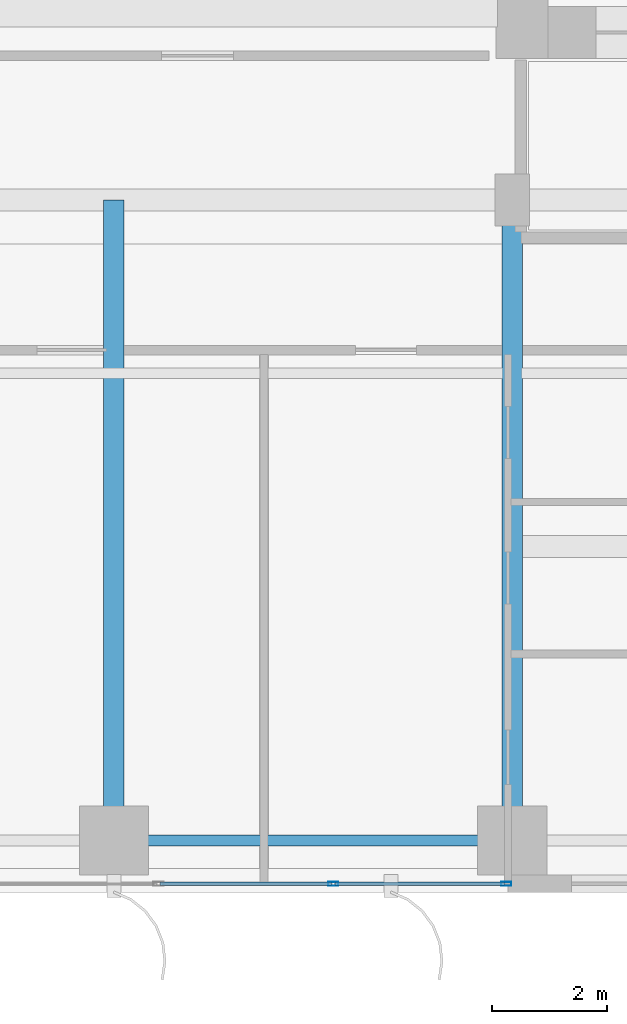
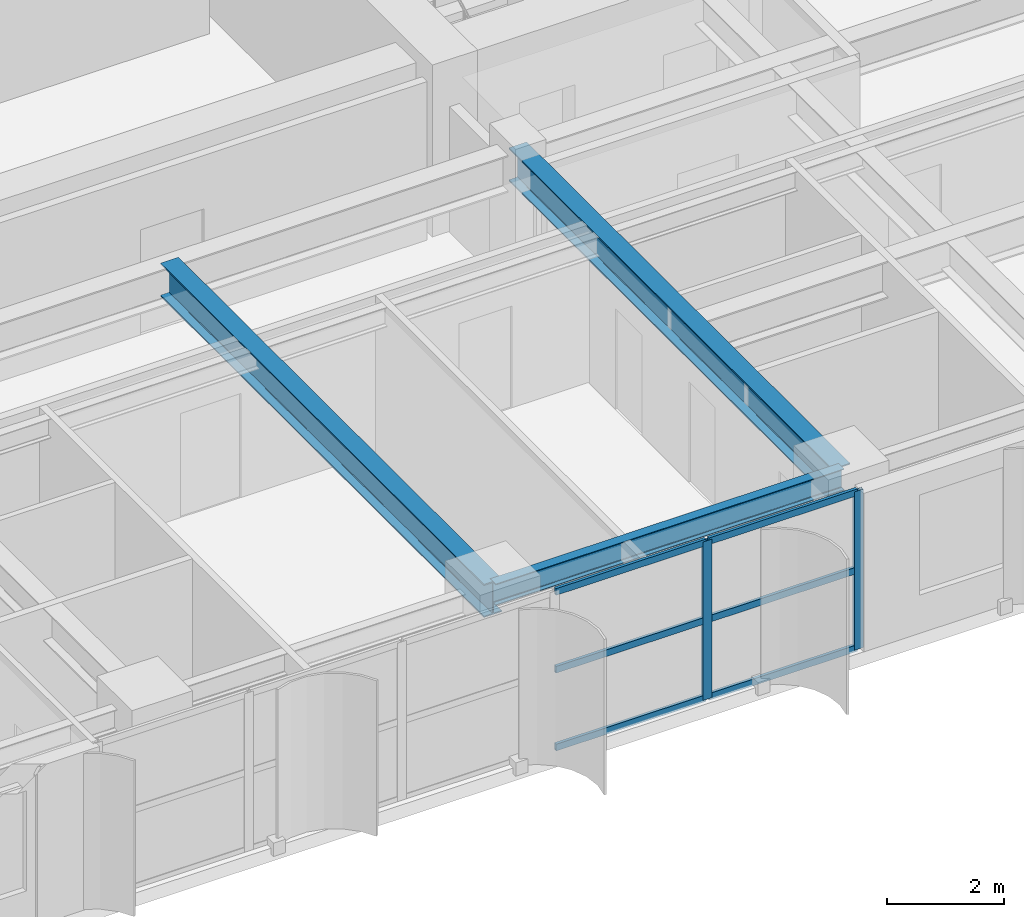
# One storey, part 3 of 24: 8 members, 3 beams, 1 element without a shape of its own.
"""IFC4 building model written with IfcOpenShell, lengths in metres."""

from ifc_helpers import new_model, si_unit, direction, frame, origin, origin_2d, place, context, subcontext, project, spatial, hollow_rectangle, i_section, extrude, source, transform, mapped, material, layer, layer_set, material_profile, profile_set, type_object, element, aggregate, save


model = new_model("IFC4")

# Units and contexts
model_context = context("Model", 3, precision=1e-05, world=origin(), true_north=direction((0.0, 1.0)))
body_context = subcontext(model_context, "Body", "Model", "MODEL_VIEW")
ifc_project = project(units=[si_unit("LENGTHUNIT", "METRE"), si_unit("AREAUNIT", "SQUARE_METRE"), si_unit("VOLUMEUNIT", "CUBIC_METRE"), si_unit("PLANEANGLEUNIT", "RADIAN"), si_unit("MASSUNIT", "GRAM", prefix="KILO")], contexts=[model_context])

# Site, building, storey
site_placement = place(None, origin())
site = spatial("IfcSite", under=ifc_project, at=site_placement, CompositionType="ELEMENT")
building_placement = place(site_placement, origin())
building = spatial("IfcBuilding", under=site, at=building_placement, Name="Khoralis Quay Care Tower", CompositionType="ELEMENT")
storey_placement = place(building_placement, frame((0.0, 0.0, 40.5)))
storey = spatial("IfcBuildingStorey", under=building, at=storey_placement, Name="L10", CompositionType="ELEMENT", Elevation=40.5)

# Beams
ifc_material_1 = material(Name="Steel S355", Category="steel")
ifc_material_profile_1 = material_profile(ifc_material_1, i_section(OverallWidth=0.18994140625, OverallDepth=0.449951171875, WebThickness=0.009521484375, FlangeThickness=0.0146484375, FilletRadius=0.02099609375, at=origin_2d()), Name="Steel S355")
ifc_profile_set_1 = profile_set([ifc_material_profile_1], Name="Steel S355")
beam_type_1 = type_object("IfcBeamType", Name="BM-IPE450", PredefinedType="SPANDREL", material=ifc_profile_set_1)
shared_shape_1 = source(origin(), body_context, "Body", "SweptSolid", [
    extrude(i_section(OverallWidth=0.18994140625, OverallDepth=0.449951171875, WebThickness=0.009521484375, FlangeThickness=0.0146484375, FilletRadius=0.02099609375, at=origin_2d()), origin(), (0.0, 0.0, 1.0), 6.89990234375),
])
beam_placement = place(storey_placement, frame((24.0, 0.89990234375, 3.094970703125), z_axis=(1.0, 0.0, 0.0), x_axis=(0.0, 1.0, 0.0)))
element("IfcBeam", 1, at=beam_placement, inside=storey, type_object=beam_type_1, Name="BM-TSP-L10-04", PredefinedType="SPANDREL", context=body_context, shape_type="MappedRepresentation", body=[
    mapped(shared_shape_1, transform((0.0, 0.0, 0.0), scale=1.0)),
])
ifc_material_profile_2 = material_profile(ifc_material_1, i_section(OverallWidth=0.35498046875, OverallDepth=0.695068359375, WebThickness=0.015380859375, FlangeThickness=0.02490234375, FilletRadius=0.02001953125, at=origin_2d()), Name="Steel S355")
ifc_profile_set_2 = profile_set([ifc_material_profile_2], Name="Steel S355")
beam_type_2 = type_object("IfcBeamType", Name="BM-W690X217", PredefinedType="BEAM", material=ifc_profile_set_2)
shared_shape_2 = source(origin(), body_context, "Body", "SweptSolid", [
    extrude(i_section(OverallWidth=0.35498046875, OverallDepth=0.695068359375, WebThickness=0.015380859375, FlangeThickness=0.02490234375, FilletRadius=0.02001953125, at=origin_2d()), origin(), (0.0, 0.0, 1.0), 11.10009765625),
])
for number, where, z_axis, x_axis, name in (
    (2, (24.0, 0.89990234375, 2.972412109375), (0.0, 1.0, 0.0), (-1.0, 0.0, 0.0), "BM-TGYS-L10-240"),
    (3, (30.89990234375, 0.89990234375, 2.972412109375), (0.0, 1.0, 0.0), (-1.0, 0.0, 0.0), "BM-TGYS-L10-309"),
):
    element("IfcBeam", number, at=place(storey_placement, frame(where, z_axis=z_axis, x_axis=x_axis)), inside=storey, type_object=beam_type_2, Name=name, PredefinedType="BEAM", context=body_context, shape_type="MappedRepresentation", body=[
        mapped(shared_shape_2, transform((0.0, 0.0, 0.0), scale=1.0)),
    ])

# Curtain wall, members
ifc_material_2 = material(Name="Pale anodised aluminium", Category="aluminium")
ifc_layer = layer(ifc_material_2, 0.179931640625)
ifc_layer_set = layer_set([ifc_layer], Name="Pale anodised aluminium")
curtain_wall_type = type_object("IfcCurtainWallType", Name="CW-SYS-Z1", PredefinedType="NOTDEFINED", material=ifc_layer_set)
curtain_wall_placement = place(storey_placement, origin())
curtain_wall = element("IfcCurtainWall", 4, at=curtain_wall_placement, inside=storey, type_object=curtain_wall_type, Name="L10 Unitised Curtain Wall CW-L10-P1-E0", PredefinedType="NOTDEFINED")
ifc_material_profile_3 = material_profile(ifc_material_2, hollow_rectangle(XDim=0.06494140625, YDim=0.179931640625, WallThickness=0.00390625, at=origin_2d()), Name="Pale anodised aluminium")
ifc_profile_set_3 = profile_set([ifc_material_profile_3], Name="Pale anodised aluminium")
member_type_1 = type_object("IfcMemberType", Name="CW-MUL-180", PredefinedType="MULLION", material=ifc_profile_set_3)
shared_shape_3 = source(origin(), body_context, "Body", "SweptSolid", [
    extrude(hollow_rectangle(XDim=0.06494140625, YDim=0.179931640625, WallThickness=0.00390625, at=origin_2d()), origin(), (0.0, 0.0, 1.0), 3.320068359375),
])
member_1_placement = place(storey_placement, frame((27.7998046875, 0.14990234375, 0.0), z_axis=(0.0, 0.0, 1.0), x_axis=(0.0, 1.0, 0.0)))
member_1 = element("IfcMember", 5, at=member_1_placement, type_object=member_type_1, Name="CW1 mullion 5", PredefinedType="MULLION", context=body_context, shape_type="MappedRepresentation", body=[
    mapped(shared_shape_3, transform((0.0, 0.0, 0.0), scale=1.0)),
])
member_2_placement = place(storey_placement, frame((30.798095703125, 0.14990234375, 0.0), z_axis=(0.0, 0.0, 1.0), x_axis=(0.0, 1.0, 0.0)))
member_2 = element("IfcMember", 6, at=member_2_placement, type_object=member_type_1, Name="CW1 mullion 6", PredefinedType="MULLION", context=body_context, shape_type="MappedRepresentation", body=[
    mapped(shared_shape_3, transform((0.0, 0.0, 0.0), scale=1.0)),
])
ifc_material_profile_4 = material_profile(ifc_material_2, hollow_rectangle(XDim=0.06005859375, YDim=0.139892578125, WallThickness=0.00390625, at=origin_2d()), Name="Pale anodised aluminium")
ifc_profile_set_4 = profile_set([ifc_material_profile_4], Name="Pale anodised aluminium")
member_type_2 = type_object("IfcMemberType", Name="CW-TRN-140", PredefinedType="USERDEFINED", material=ifc_profile_set_4)
shared_shape_4 = source(origin(), body_context, "Body", "SweptSolid", [
    extrude(hollow_rectangle(XDim=0.06005859375, YDim=0.139892578125, WallThickness=0.00390625, at=origin_2d()), origin(), (0.0, 0.0, 1.0), 2.938232421875),
])
member_3_placement = place(storey_placement, frame((27.829833984375, 0.14990234375, 0.030029296875), z_axis=(1.0, 0.0, 0.0), x_axis=(0.0, 1.0, 0.0)))
member_3 = element("IfcMember", 7, at=member_3_placement, type_object=member_type_2, Name="CW1 transom 5.1", ObjectType="TRANSOM", PredefinedType="USERDEFINED", context=body_context, shape_type="MappedRepresentation", body=[
    mapped(shared_shape_4, transform((0.0, 0.0, 0.0), scale=1.0)),
])
member_4_placement = place(storey_placement, frame((27.829833984375, 0.14990234375, 1.659912109375), z_axis=(1.0, 0.0, 0.0), x_axis=(0.0, 1.0, 0.0)))
member_4 = element("IfcMember", 8, at=member_4_placement, type_object=member_type_2, Name="CW1 transom 5.2", ObjectType="TRANSOM", PredefinedType="USERDEFINED", context=body_context, shape_type="MappedRepresentation", body=[
    mapped(shared_shape_4, transform((0.0, 0.0, 0.0), scale=1.0)),
])
member_5_placement = place(storey_placement, frame((27.829833984375, 0.14990234375, 3.2900390625), z_axis=(1.0, 0.0, 0.0), x_axis=(0.0, 1.0, 0.0)))
member_5 = element("IfcMember", 9, at=member_5_placement, type_object=member_type_2, Name="CW1 transom 5.3", ObjectType="TRANSOM", PredefinedType="USERDEFINED", context=body_context, shape_type="MappedRepresentation", body=[
    mapped(shared_shape_4, transform((0.0, 0.0, 0.0), scale=1.0)),
])
shared_shape_5 = source(origin(), body_context, "Body", "SweptSolid", [
    extrude(hollow_rectangle(XDim=0.06005859375, YDim=0.139892578125, WallThickness=0.00390625, at=origin_2d()), origin(), (0.0, 0.0, 1.0), 2.96826171875),
])
member_6_placement = place(storey_placement, frame((24.801513671875, 0.14990234375, 0.030029296875), z_axis=(1.0, 0.0, 0.0), x_axis=(0.0, 1.0, 0.0)))
member_6 = element("IfcMember", 10, at=member_6_placement, type_object=member_type_2, Name="CW1 transom 4.1", ObjectType="TRANSOM", PredefinedType="USERDEFINED", context=body_context, shape_type="MappedRepresentation", body=[
    mapped(shared_shape_5, transform((0.0, 0.0, 0.0), scale=1.0)),
])
member_7_placement = place(storey_placement, frame((24.801513671875, 0.14990234375, 1.659912109375), z_axis=(1.0, 0.0, 0.0), x_axis=(0.0, 1.0, 0.0)))
member_7 = element("IfcMember", 11, at=member_7_placement, type_object=member_type_2, Name="CW1 transom 4.2", ObjectType="TRANSOM", PredefinedType="USERDEFINED", context=body_context, shape_type="MappedRepresentation", body=[
    mapped(shared_shape_5, transform((0.0, 0.0, 0.0), scale=1.0)),
])
member_8_placement = place(storey_placement, frame((24.801513671875, 0.14990234375, 3.2900390625), z_axis=(1.0, 0.0, 0.0), x_axis=(0.0, 1.0, 0.0)))
member_8 = element("IfcMember", 12, at=member_8_placement, type_object=member_type_2, Name="CW1 transom 4.3", ObjectType="TRANSOM", PredefinedType="USERDEFINED", context=body_context, shape_type="MappedRepresentation", body=[
    mapped(shared_shape_5, transform((0.0, 0.0, 0.0), scale=1.0)),
])
aggregate(curtain_wall, [member_1, member_2, member_6, member_7, member_8, member_3, member_4, member_5])

save(model, "model.ifc")
